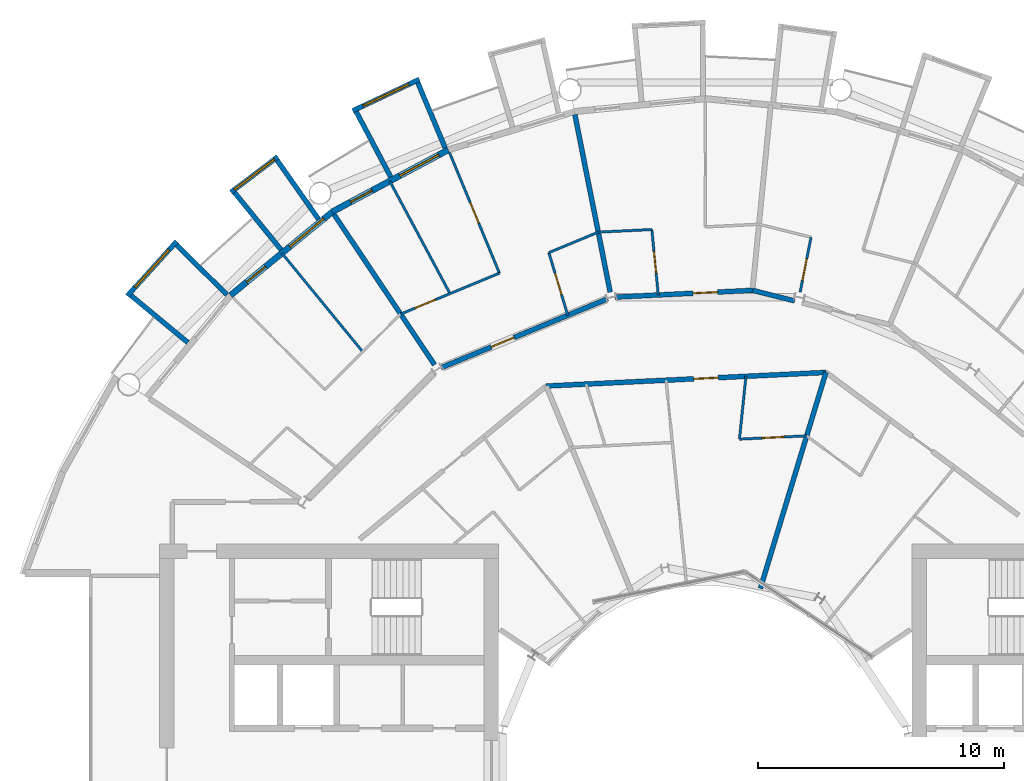
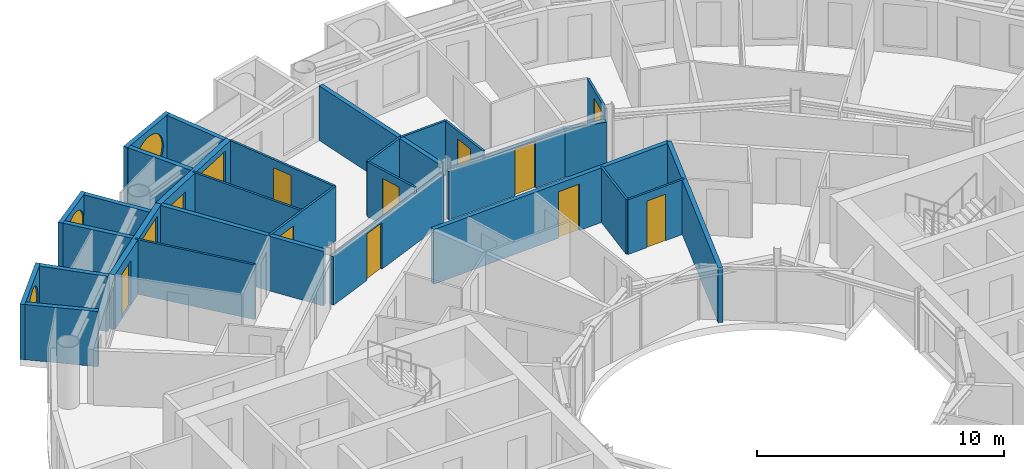
# One storey, part 20 of 27: 29 walls, 11 doors, 5 windows, 16 openings.
"""IFC4 building model written with IfcOpenShell, lengths in metres."""

from ifc_helpers import new_model, si_unit, direction, frame, frame_2d, origin, place, context, subcontext, project, spatial, rectangle, circle, extrude, material, layer, layer_set, type_object, element, fill, save


model = new_model("IFC4")

# Units and contexts
model_context = context("Model", 3, precision=1e-05, world=origin(), true_north=direction((0.0, 1.0)))
body_context = subcontext(model_context, "Body", "Model", "MODEL_VIEW")
ifc_project = project(units=[si_unit("LENGTHUNIT", "METRE"), si_unit("AREAUNIT", "SQUARE_METRE"), si_unit("VOLUMEUNIT", "CUBIC_METRE"), si_unit("PLANEANGLEUNIT", "RADIAN"), si_unit("MASSUNIT", "GRAM", prefix="KILO")], contexts=[model_context])

# Site, building, storey
site_placement = place(None, origin())
site = spatial("IfcSite", under=ifc_project, at=site_placement, CompositionType="ELEMENT")
building_placement = place(site_placement, origin())
building = spatial("IfcBuilding", under=site, at=building_placement, Name="Maasbend Ring Residences", CompositionType="ELEMENT")
storey_placement = place(building_placement, frame((0.0, 0.0, 111.64990234375)))
storey = spatial("IfcBuildingStorey", under=building, at=storey_placement, Name="L31", CompositionType="ELEMENT", Elevation=111.64990234375)

# Wall, opening, door
ifc_material_1 = material(Name="Concrete C30/37", Category="concrete")
ifc_layer_1 = layer(ifc_material_1, 0.199951171875)
ifc_layer_set_1 = layer_set([ifc_layer_1], Name="Concrete C30/37")
wall_type_1 = type_object("IfcWallType", Name="CORRIDOR WALL 200 CONCRETE", PredefinedType="PARTITIONING", material=ifc_layer_set_1)
wall_1_placement = place(storey_placement, frame((-6.467041015625, 15.614013671875, 0.0), z_axis=(0.0, 0.0, 1.0), x_axis=(0.998821060576, 0.048543680847, 0.0)))
wall_1 = element("IfcWall", 1, at=wall_1_placement, inside=storey, type_object=wall_type_1, Name="U-L31-w096", PredefinedType="PARTITIONING", context=body_context, shape_type="SweptSolid", body=[
    extrude(rectangle(XDim=11.391357421875, YDim=0.199951171875, at=frame_2d((5.69580078125, 0.0))), origin(), (0.0, 0.0, 1.0), 2.7001953125),
])
opening_1_placement = place(wall_1_placement, frame((6.007080078125, 0.0, 0.0)))
opening_1 = element("IfcOpeningElement", 2, at=opening_1_placement, cuts=wall_1, Name="Opening D-3125", PredefinedType="OPENING", context=body_context, shape_type="SweptSolid", body=[
    extrude(rectangle(XDim=1.0, YDim=2.300048828125, at=frame_2d((0.5, 1.14990234375))), frame((0.0, 0.10986328125, 0.0), z_axis=(0.0, -1.0, 0.0), x_axis=(1.0, 0.0, 0.0)), (0.0, 0.0, 1.0), 0.219970703125),
])
ifc_material_2 = material(Name="Timber, fire-rated, painted", Category="wood")
door_type_1 = type_object("IfcDoorType", Name="FLAT ENTRANCE DOOR 1000 X 2300 FIRE-RATED", OperationType="NOTDEFINED", PredefinedType="DOOR", material=ifc_material_2)
door_1_placement = place(opening_1_placement, origin())
door_1 = element("IfcDoor", 3, at=door_1_placement, inside=storey, type_object=door_type_1, Name="D-3125", OperationType="SINGLE_SWING_RIGHT", OverallHeight=2.300048828125, OverallWidth=1.0, PredefinedType="DOOR", context=body_context, shape_type="SweptSolid", body=[
    extrude(rectangle(XDim=1.0, YDim=2.300048828125, at=frame_2d((0.5, 1.14990234375))), frame((0.0, 0.02490234375, 0.0), z_axis=(0.0, -1.0, 0.0), x_axis=(1.0, 0.0, 0.0)), (0.0, 0.0, 1.0), 0.050048828125),
])
fill(opening_1, door_1)

wall_2_placement = place(storey_placement, frame((-10.7451171875, 16.35693359375, 0.0), z_axis=(0.0, 0.0, 1.0), x_axis=(0.923928411035, 0.382565407848, 0.0)))
wall_2 = element("IfcWall", 4, at=wall_2_placement, inside=storey, type_object=wall_type_1, Name="U-L31-w101", PredefinedType="PARTITIONING", context=body_context, shape_type="SweptSolid", body=[
    extrude(rectangle(XDim=7.335205078125, YDim=0.199951171875, at=frame_2d((3.66748046875, 0.0))), origin(), (0.0, 0.0, 1.0), 2.39013671875),
])
opening_2_placement = place(wall_2_placement, frame((2.2119140625, 0.0, 0.0)))
opening_2 = element("IfcOpeningElement", 5, at=opening_2_placement, cuts=wall_2, Name="Opening D-3113", PredefinedType="OPENING", context=body_context, shape_type="SweptSolid", body=[
    extrude(rectangle(XDim=1.0, YDim=2.300048828125, at=frame_2d((0.5, 1.14990234375))), frame((0.0, 0.10986328125, 0.0), z_axis=(0.0, -1.0, 0.0), x_axis=(1.0, 0.0, 0.0)), (0.0, 0.0, 1.0), 0.219970703125),
])
door_2_placement = place(opening_2_placement, origin())
door_2 = element("IfcDoor", 6, at=door_2_placement, inside=storey, type_object=door_type_1, Name="D-3113", OperationType="SINGLE_SWING_LEFT", OverallHeight=2.300048828125, OverallWidth=1.0, PredefinedType="DOOR", context=body_context, shape_type="SweptSolid", body=[
    extrude(rectangle(XDim=1.0, YDim=2.300048828125, at=frame_2d((0.5, 1.14990234375))), frame((0.0, 0.02490234375, 0.0), z_axis=(0.0, -1.0, 0.0), x_axis=(1.0, 0.0, 0.0)), (0.0, 0.0, 1.0), 0.050048828125),
])
fill(opening_2, door_2)

wall_3_placement = place(storey_placement, frame((-3.6689453125, 19.23095703125, 0.0), z_axis=(0.0, 0.0, 1.0), x_axis=(0.998803644396, 0.048900715146, 0.0)))
wall_3 = element("IfcWall", 7, at=wall_3_placement, inside=storey, type_object=wall_type_1, Name="U-L31-w102", PredefinedType="PARTITIONING", context=body_context, shape_type="SweptSolid", body=[
    extrude(rectangle(XDim=5.6015625, YDim=0.199951171875, at=frame_2d((2.80078125, 0.0))), origin(), (0.0, 0.0, 1.0), 2.39013671875),
])
opening_3_placement = place(wall_3_placement, frame((3.178955078125, 0.0, 0.0)))
opening_3 = element("IfcOpeningElement", 8, at=opening_3_placement, cuts=wall_3, Name="Opening D-3110", PredefinedType="OPENING", context=body_context, shape_type="SweptSolid", body=[
    extrude(rectangle(XDim=1.0, YDim=2.300048828125, at=frame_2d((0.5, 1.14990234375))), frame((0.0, 0.10986328125, 0.0), z_axis=(0.0, -1.0, 0.0), x_axis=(1.0, 0.0, 0.0)), (0.0, 0.0, 1.0), 0.219970703125),
])
door_3_placement = place(opening_3_placement, origin())
door_3 = element("IfcDoor", 9, at=door_3_placement, inside=storey, type_object=door_type_1, Name="D-3110", OperationType="SINGLE_SWING_RIGHT", OverallHeight=2.300048828125, OverallWidth=1.0, PredefinedType="DOOR", context=body_context, shape_type="SweptSolid", body=[
    extrude(rectangle(XDim=1.0, YDim=2.300048828125, at=frame_2d((0.5, 1.14990234375))), frame((0.0, 0.02490234375, 0.0), z_axis=(0.0, -1.0, 0.0), x_axis=(1.0, 0.0, 0.0)), (0.0, 0.0, 1.0), 0.050048828125),
])
fill(opening_3, door_3)

# Wall
wall_4_placement = place(storey_placement, frame((1.9208984375, 19.506103515625, 0.0), z_axis=(0.0, 0.0, 1.0), x_axis=(0.97002068022, -0.243022385689, 0.0)))
element("IfcWall", 10, at=wall_4_placement, inside=storey, type_object=wall_type_1, Name="U-L31-w103", PredefinedType="PARTITIONING", context=body_context, shape_type="SweptSolid", body=[
    extrude(rectangle(XDim=1.77001953125, YDim=0.199951171875, at=frame_2d((0.885009765625, 0.0))), origin(), (0.0, 0.0, 1.0), 2.39013671875),
])

# Wall, opening, window
ifc_material_3 = material(Name="Pale anodised aluminium panel", Category="aluminium")
ifc_layer_2 = layer(ifc_material_3, 0.199951171875)
ifc_layer_set_2 = layer_set([ifc_layer_2], Name="EW-BOX")
wall_type_2 = type_object("IfcWallType", Name="EW-BOX", PredefinedType="SOLIDWALL", material=ifc_layer_set_2)
wall_5_placement = place(storey_placement, frame((-11.62890625, 28.087890625, -0.02978515625), z_axis=(0.0, 0.0, 1.0), x_axis=(-0.904000060331, -0.427532327342, 0.0)))
wall_5 = element("IfcWall", 11, at=wall_5_placement, inside=storey, type_object=wall_type_2, Name="Box front N15", PredefinedType="SOLIDWALL", context=body_context, shape_type="SweptSolid", body=[
    extrude(rectangle(XDim=2.993408203125, YDim=0.199951171875, at=frame_2d((1.49658203125, 0.0))), origin(), (0.0, 0.0, 1.0), 2.72998046875),
])
opening_4_placement = place(wall_5_placement, frame((0.45654296875, 0.0, 0.330078125)))
opening_4 = element("IfcOpeningElement", 12, at=opening_4_placement, cuts=wall_5, Name="Opening W-RD", PredefinedType="OPENING", context=body_context, shape_type="SweptSolid", body=[
    extrude(circle(Radius=1.0400390625, at=frame_2d((1.0400390625, 1.0400390625))), frame((0.0, 0.10986328125, 0.0), z_axis=(0.0, -1.0, 0.0), x_axis=(1.0, 0.0, 0.0)), (0.0, 0.0, 1.0), 0.219970703125),
])
ifc_material_4 = material(Name="Aluminium and clear glass", Category="aluminium")
window_type_1 = type_object("IfcWindowType", Name="W-RD", PartitioningType="SINGLE_PANEL", PredefinedType="WINDOW", material=ifc_material_4)
window_1_placement = place(opening_4_placement, origin())
window_1 = element("IfcWindow", 13, at=window_1_placement, inside=storey, type_object=window_type_1, Name="Round window N15", OverallHeight=2.080078125, OverallWidth=2.080078125, PartitioningType="SINGLE_PANEL", PredefinedType="WINDOW", context=body_context, shape_type="SweptSolid", body=[
    extrude(circle(Radius=1.0400390625, at=frame_2d((1.0400390625, 1.0400390625))), frame((0.0, 0.030029296875, 0.0), z_axis=(0.0, -1.0, 0.0), x_axis=(1.0, 0.0, 0.0)), (0.0, 0.0, 1.0), 0.06005859375),
])
fill(opening_4, window_1)

# Walls
wall_6_placement = place(storey_placement, frame((-10.574951171875, 25.294921875, -0.02978515625), z_axis=(0.0, 0.0, 1.0), x_axis=(-0.385697364644, 0.922625353492, 0.0)))
element("IfcWall", 14, at=wall_6_placement, inside=storey, type_object=wall_type_2, Name="Box side wall N15 left", PredefinedType="SOLIDWALL", context=body_context, shape_type="SweptSolid", body=[
    extrude(rectangle(XDim=2.88330078125, YDim=0.199951171875, at=frame_2d((1.441650390625, 0.0))), origin(), (0.0, 0.0, 1.0), 2.72998046875),
])
wall_7_placement = place(storey_placement, frame((-12.787109375, 24.113037109375, -0.02978515625), z_axis=(0.0, 0.0, 1.0), x_axis=(-0.468365282436, 0.883534924159, 0.0)))
element("IfcWall", 15, at=wall_7_placement, inside=storey, type_object=wall_type_2, Name="Box side wall N15 right", PredefinedType="SOLIDWALL", context=body_context, shape_type="SweptSolid", body=[
    extrude(rectangle(XDim=3.006103515625, YDim=0.199951171875, at=frame_2d((1.5029296875, 0.0))), origin(), (0.0, 0.0, 1.0), 2.72998046875),
])

# Wall, opening, window
wall_8_placement = place(storey_placement, frame((-17.382080078125, 24.93994140625, -0.02978515625), z_axis=(0.0, 0.0, 1.0), x_axis=(-0.797456837111, -0.603375996329, 0.0)))
wall_8 = element("IfcWall", 16, at=wall_8_placement, inside=storey, type_object=wall_type_2, Name="Box front N17", PredefinedType="SOLIDWALL", context=body_context, shape_type="SweptSolid", body=[
    extrude(rectangle(XDim=2.391357421875, YDim=0.199951171875, at=frame_2d((1.19580078125, 0.0))), origin(), (0.0, 0.0, 1.0), 2.72998046875),
])
opening_5_placement = place(wall_8_placement, frame((0.15576171875, 0.0, 0.330078125)))
opening_5 = element("IfcOpeningElement", 17, at=opening_5_placement, cuts=wall_8, Name="Opening W-RD", PredefinedType="OPENING", context=body_context, shape_type="SweptSolid", body=[
    extrude(circle(Radius=1.0400390625, at=frame_2d((1.0400390625, 1.0400390625))), frame((0.0, 0.10986328125, 0.0), z_axis=(0.0, -1.0, 0.0), x_axis=(1.0, 0.0, 0.0)), (0.0, 0.0, 1.0), 0.219970703125),
])
window_2_placement = place(opening_5_placement, origin())
window_2 = element("IfcWindow", 18, at=window_2_placement, inside=storey, type_object=window_type_1, Name="Round window N17", OverallHeight=2.080078125, OverallWidth=2.080078125, PartitioningType="SINGLE_PANEL", PredefinedType="WINDOW", context=body_context, shape_type="SweptSolid", body=[
    extrude(circle(Radius=1.0400390625, at=frame_2d((1.0400390625, 1.0400390625))), frame((0.0, 0.030029296875, 0.0), z_axis=(0.0, -1.0, 0.0), x_axis=(1.0, 0.0, 0.0)), (0.0, 0.0, 1.0), 0.06005859375),
])
fill(opening_5, window_2)

# Walls
wall_9_placement = place(storey_placement, frame((-15.72607421875, 22.402099609375, -0.02978515625), z_axis=(0.0, 0.0, 1.0), x_axis=(-0.574826383135, 0.818275399393, 0.0)))
element("IfcWall", 19, at=wall_9_placement, inside=storey, type_object=wall_type_2, Name="Box side wall N17 left", PredefinedType="SOLIDWALL", context=body_context, shape_type="SweptSolid", body=[
    extrude(rectangle(XDim=2.92919921875, YDim=0.199951171875, at=frame_2d((1.464599609375, 0.0))), origin(), (0.0, 0.0, 1.0), 2.72998046875),
])
wall_10_placement = place(storey_placement, frame((-17.24609375, 21.155029296875, -0.02978515625), z_axis=(0.0, 0.0, 1.0), x_axis=(-0.631741648902, 0.775179004516, 0.0)))
element("IfcWall", 20, at=wall_10_placement, inside=storey, type_object=wall_type_2, Name="Box side wall N17 right", PredefinedType="SOLIDWALL", context=body_context, shape_type="SweptSolid", body=[
    extrude(rectangle(XDim=3.005859375, YDim=0.199951171875, at=frame_2d((1.5029296875, 0.0))), origin(), (0.0, 0.0, 1.0), 2.72998046875),
])

# Wall, opening, window
wall_11_placement = place(storey_placement, frame((-21.492919921875, 21.5, -0.02978515625), z_axis=(0.0, 0.0, 1.0), x_axis=(-0.671506829416, -0.740998365753, 0.0)))
wall_11 = element("IfcWall", 21, at=wall_11_placement, inside=storey, type_object=wall_type_2, Name="Box front N19", PredefinedType="SOLIDWALL", context=body_context, shape_type="SweptSolid", body=[
    extrude(rectangle(XDim=2.9931640625, YDim=0.199951171875, at=frame_2d((1.49658203125, 0.0))), origin(), (0.0, 0.0, 1.0), 2.72998046875),
])
opening_6_placement = place(wall_11_placement, frame((0.45654296875, 0.0, 0.330078125)))
opening_6 = element("IfcOpeningElement", 22, at=opening_6_placement, cuts=wall_11, Name="Opening W-RD", PredefinedType="OPENING", context=body_context, shape_type="SweptSolid", body=[
    extrude(circle(Radius=1.0400390625, at=frame_2d((1.0400390625, 1.0400390625))), frame((0.0, 0.10986328125, 0.0), z_axis=(0.0, -1.0, 0.0), x_axis=(1.0, 0.0, 0.0)), (0.0, 0.0, 1.0), 0.219970703125),
])
window_3_placement = place(opening_6_placement, origin())
window_3 = element("IfcWindow", 23, at=window_3_placement, inside=storey, type_object=window_type_1, Name="Round window N19", OverallHeight=2.080078125, OverallWidth=2.080078125, PartitioningType="SINGLE_PANEL", PredefinedType="WINDOW", context=body_context, shape_type="SweptSolid", body=[
    extrude(circle(Radius=1.0400390625, at=frame_2d((1.0400390625, 1.0400390625))), frame((0.0, 0.030029296875, 0.0), z_axis=(0.0, -1.0, 0.0), x_axis=(1.0, 0.0, 0.0)), (0.0, 0.0, 1.0), 0.06005859375),
])
fill(opening_6, window_3)

# Walls
wall_12_placement = place(storey_placement, frame((-19.449951171875, 19.322998046875, -0.02978515625), z_axis=(0.0, 0.0, 1.0), x_axis=(-0.709727076896, 0.704476739375, 0.0)))
element("IfcWall", 24, at=wall_12_placement, inside=storey, type_object=wall_type_2, Name="Box side wall N19 left", PredefinedType="SOLIDWALL", context=body_context, shape_type="SweptSolid", body=[
    extrude(rectangle(XDim=2.883056640625, YDim=0.199951171875, at=frame_2d((1.44140625, 0.0))), origin(), (0.0, 0.0, 1.0), 2.72998046875),
])
wall_13_placement = place(storey_placement, frame((-21.041015625, 17.384033203125, -0.02978515625), z_axis=(0.0, 0.0, 1.0), x_axis=(-0.770784861449, 0.63709551667, 0.0)))
element("IfcWall", 25, at=wall_13_placement, inside=storey, type_object=wall_type_2, Name="Box side wall N19 right", PredefinedType="SOLIDWALL", context=body_context, shape_type="SweptSolid", body=[
    extrude(rectangle(XDim=3.005859375, YDim=0.199951171875, at=frame_2d((1.5029296875, 0.0))), origin(), (0.0, 0.0, 1.0), 2.72998046875),
])

# Wall, openings, door, window
ifc_material_5 = material(Name="Aluminium clad insulated panel", Category="aluminium")
ifc_layer_3 = layer(ifc_material_5, 0.25)
ifc_layer_set_3 = layer_set([ifc_layer_3], Name="EW-GL")
wall_type_3 = type_object("IfcWallType", Name="EW-GL", PredefinedType="SOLIDWALL", material=ifc_layer_set_3)
wall_14_placement = place(storey_placement, frame((-10.447021484375, 25.221923828125, 0.0), z_axis=(0.0, 0.0, 1.0), x_axis=(-0.881915646801, -0.471407246368, 0.0)))
wall_14 = element("IfcWall", 26, at=wall_14_placement, inside=storey, type_object=wall_type_3, Name="External wall N08", PredefinedType="SOLIDWALL", context=body_context, shape_type="SweptSolid", body=[
    extrude(rectangle(XDim=5.35205078125, YDim=0.25, at=frame_2d((2.676025390625, 0.0))), origin(), (0.0, 0.0, 1.0), 2.7001953125),
])
opening_7_placement = place(wall_14_placement, frame((0.441162109375, 0.0, 0.300048828125)))
opening_7 = element("IfcOpeningElement", 27, at=opening_7_placement, cuts=wall_14, Name="Opening W-BX", PredefinedType="OPENING", context=body_context, shape_type="SweptSolid", body=[
    extrude(rectangle(XDim=1.800048828125, YDim=2.10009765625, at=frame_2d((0.89990234375, 1.050048828125))), frame((0.0, 0.135009765625, 0.0), z_axis=(0.0, -1.0, 0.0), x_axis=(1.0, 0.0, 0.0)), (0.0, 0.0, 1.0), 0.27001953125),
])
opening_8_placement = place(wall_14_placement, frame((3.510498046875, 0.0, 0.0)))
opening_8 = element("IfcOpeningElement", 28, at=opening_8_placement, cuts=wall_14, Name="Opening D-LG", PredefinedType="OPENING", context=body_context, shape_type="SweptSolid", body=[
    extrude(rectangle(XDim=1.0, YDim=2.199951171875, at=frame_2d((0.5, 1.10009765625))), frame((0.0, 0.135009765625, 0.0), z_axis=(0.0, -1.0, 0.0), x_axis=(1.0, 0.0, 0.0)), (0.0, 0.0, 1.0), 0.27001953125),
])
ifc_material_6 = material(Name="Aluminium and clear glass", Category="aluminium")
door_type_2 = type_object("IfcDoorType", Name="D-LG", OperationType="SINGLE_SWING_LEFT", PredefinedType="DOOR", material=ifc_material_6)
door_4_placement = place(opening_8_placement, origin())
door_4 = element("IfcDoor", 29, at=door_4_placement, inside=storey, type_object=door_type_2, Name="Loggia door N16", OperationType="SINGLE_SWING_LEFT", OverallHeight=2.199951171875, OverallWidth=1.0, PredefinedType="DOOR", context=body_context, shape_type="SweptSolid", body=[
    extrude(rectangle(XDim=1.0, YDim=2.199951171875, at=frame_2d((0.5, 1.10009765625))), frame((0.0, 0.02490234375, 0.0), z_axis=(0.0, -1.0, 0.0), x_axis=(1.0, 0.0, 0.0)), (0.0, 0.0, 1.0), 0.050048828125),
])
fill(opening_8, door_4)
ifc_material_7 = material(Name="Aluminium and clear glass", Category="aluminium")
window_type_2 = type_object("IfcWindowType", Name="W-BX", PartitioningType="DOUBLE_PANEL_VERTICAL", PredefinedType="WINDOW", material=ifc_material_7)
window_4_placement = place(opening_7_placement, origin())
window_4 = element("IfcWindow", 30, at=window_4_placement, inside=storey, type_object=window_type_2, Name="Window N15 room to box", OverallHeight=2.10009765625, OverallWidth=1.800048828125, PartitioningType="SINGLE_PANEL", PredefinedType="WINDOW", context=body_context, shape_type="SweptSolid", body=[
    extrude(rectangle(XDim=1.800048828125, YDim=2.10009765625, at=frame_2d((0.89990234375, 1.050048828125))), frame((0.0, 0.030029296875, 0.0), z_axis=(0.0, -1.0, 0.0), x_axis=(1.0, 0.0, 0.0)), (0.0, 0.0, 1.0), 0.06005859375),
])
fill(opening_7, window_4)

wall_15_placement = place(storey_placement, frame((-15.1669921875, 22.698974609375, 0.0), z_axis=(0.0, 0.0, 1.0), x_axis=(-0.773019449054, -0.634382322723, 0.0)))
wall_15 = element("IfcWall", 31, at=wall_15_placement, inside=storey, type_object=wall_type_3, Name="External wall N09", PredefinedType="SOLIDWALL", context=body_context, shape_type="SweptSolid", body=[
    extrude(rectangle(XDim=5.351806640625, YDim=0.25, at=frame_2d((2.67578125, 0.0))), origin(), (0.0, 0.0, 1.0), 2.7001953125),
])
opening_9_placement = place(wall_15_placement, frame((0.441162109375, 0.0, 0.300048828125)))
opening_9 = element("IfcOpeningElement", 32, at=opening_9_placement, cuts=wall_15, Name="Opening W-BX", PredefinedType="OPENING", context=body_context, shape_type="SweptSolid", body=[
    extrude(rectangle(XDim=1.800048828125, YDim=2.10009765625, at=frame_2d((0.89990234375, 1.050048828125))), frame((0.0, 0.135009765625, 0.0), z_axis=(0.0, -1.0, 0.0), x_axis=(1.0, 0.0, 0.0)), (0.0, 0.0, 1.0), 0.27001953125),
])
opening_10_placement = place(wall_15_placement, frame((3.510498046875, 0.0, 0.0)))
opening_10 = element("IfcOpeningElement", 33, at=opening_10_placement, cuts=wall_15, Name="Opening D-LG", PredefinedType="OPENING", context=body_context, shape_type="SweptSolid", body=[
    extrude(rectangle(XDim=1.0, YDim=2.199951171875, at=frame_2d((0.5, 1.10009765625))), frame((0.0, 0.135009765625, 0.0), z_axis=(0.0, -1.0, 0.0), x_axis=(1.0, 0.0, 0.0)), (0.0, 0.0, 1.0), 0.27001953125),
])
door_5_placement = place(opening_10_placement, origin())
door_5 = element("IfcDoor", 34, at=door_5_placement, inside=storey, type_object=door_type_2, Name="Loggia door N18", OperationType="SINGLE_SWING_LEFT", OverallHeight=2.199951171875, OverallWidth=1.0, PredefinedType="DOOR", context=body_context, shape_type="SweptSolid", body=[
    extrude(rectangle(XDim=1.0, YDim=2.199951171875, at=frame_2d((0.5, 1.10009765625))), frame((0.0, 0.02490234375, 0.0), z_axis=(0.0, -1.0, 0.0), x_axis=(1.0, 0.0, 0.0)), (0.0, 0.0, 1.0), 0.050048828125),
])
fill(opening_10, door_5)
window_5_placement = place(opening_9_placement, origin())
window_5 = element("IfcWindow", 35, at=window_5_placement, inside=storey, type_object=window_type_2, Name="Window N17 room to box", OverallHeight=2.10009765625, OverallWidth=1.800048828125, PartitioningType="SINGLE_PANEL", PredefinedType="WINDOW", context=body_context, shape_type="SweptSolid", body=[
    extrude(rectangle(XDim=1.800048828125, YDim=2.10009765625, at=frame_2d((0.89990234375, 1.050048828125))), frame((0.0, 0.030029296875, 0.0), z_axis=(0.0, -1.0, 0.0), x_axis=(1.0, 0.0, 0.0)), (0.0, 0.0, 1.0), 0.06005859375),
])
fill(opening_9, window_5)

# Walls
ifc_material_8 = material(Name="Gypsum board on steel studs", Category="steel")
ifc_layer_4 = layer(ifc_material_8, 0.10009765625)
ifc_layer_set_4 = layer_set([ifc_layer_4], Name="PARTITION 100 GYPSUM")
wall_type_4 = type_object("IfcWallType", Name="PARTITION 100 GYPSUM", PredefinedType="PARTITIONING", material=ifc_layer_set_4)
wall_16_placement = place(storey_placement, frame((-17.219970703125, 21.02294921875, 0.0), z_axis=(0.0, 0.0, 1.0), x_axis=(0.633774976367, -0.773517471898, 0.0)))
element("IfcWall", 36, at=wall_16_placement, inside=storey, type_object=wall_type_4, Name="U-L31-w033", PredefinedType="PARTITIONING", context=body_context, shape_type="SweptSolid", body=[
    extrude(rectangle(XDim=5.19580078125, YDim=0.10009765625, at=frame_2d((2.597900390625, 0.0))), origin(), (0.0, 0.0, 1.0), 2.7001953125),
])
wall_17_placement = place(storey_placement, frame((-12.8330078125, 23.9541015625, 0.0), z_axis=(0.0, 0.0, 1.0), x_axis=(0.472148388886, -0.881519085938, 0.0)))
element("IfcWall", 37, at=wall_17_placement, inside=storey, type_object=wall_type_4, Name="U-L31-w038", PredefinedType="PARTITIONING", context=body_context, shape_type="SweptSolid", body=[
    extrude(rectangle(XDim=5.195556640625, YDim=0.10009765625, at=frame_2d((2.59765625, 0.0))), origin(), (0.0, 0.0, 1.0), 2.7001953125),
])

# Wall, opening, door
wall_18_placement = place(storey_placement, frame((-10.39892578125, 25.10595703125, 0.0), z_axis=(0.0, 0.0, 1.0), x_axis=(0.382620183578, -0.92390572848, 0.0)))
wall_18 = element("IfcWall", 38, at=wall_18_placement, inside=storey, type_object=wall_type_4, Name="U-L31-w043", PredefinedType="PARTITIONING", context=body_context, shape_type="SweptSolid", body=[
    extrude(rectangle(XDim=5.302490234375, YDim=0.10009765625, at=frame_2d((2.6513671875, 0.0))), origin(), (0.0, 0.0, 1.0), 2.7001953125),
])
opening_11_placement = place(wall_18_placement, frame((2.200927734375, 0.0, 0.0)))
opening_11 = element("IfcOpeningElement", 39, at=opening_11_placement, cuts=wall_18, Name="Opening D-3115", PredefinedType="OPENING", context=body_context, shape_type="SweptSolid", body=[
    extrude(rectangle(XDim=0.89990234375, YDim=2.300048828125, at=frame_2d((0.449951171875, 1.14990234375))), frame((0.0, 0.06005859375, 0.0), z_axis=(0.0, -1.0, 0.0), x_axis=(1.0, 0.0, 0.0)), (0.0, 0.0, 1.0), 0.1201171875),
])
ifc_material_9 = material(Name="Timber, painted", Category="wood")
door_type_3 = type_object("IfcDoorType", Name="INTERNAL DOOR 900 X 2300", OperationType="NOTDEFINED", PredefinedType="DOOR", material=ifc_material_9)
door_6_placement = place(opening_11_placement, origin())
door_6 = element("IfcDoor", 40, at=door_6_placement, inside=storey, type_object=door_type_3, Name="D-3115", OperationType="SINGLE_SWING_LEFT", OverallHeight=2.300048828125, OverallWidth=0.89990234375, PredefinedType="DOOR", context=body_context, shape_type="SweptSolid", body=[
    extrude(rectangle(XDim=0.89990234375, YDim=2.300048828125, at=frame_2d((0.449951171875, 1.14990234375))), frame((0.0, 0.02490234375, 0.0), z_axis=(0.0, -1.0, 0.0), x_axis=(1.0, 0.0, 0.0)), (0.0, 0.0, 1.0), 0.050048828125),
])
fill(opening_11, door_6)

wall_19_placement = place(storey_placement, frame((-6.360107421875, 21.0390625, 0.0), z_axis=(0.0, 0.0, 1.0), x_axis=(0.289375816213, -0.957215564537, 0.0)))
wall_19 = element("IfcWall", 41, at=wall_19_placement, inside=storey, type_object=wall_type_4, Name="U-L31-w051", PredefinedType="PARTITIONING", context=body_context, shape_type="SweptSolid", body=[
    extrude(rectangle(XDim=2.660888671875, YDim=0.10009765625, at=frame_2d((1.33056640625, 0.0))), origin(), (0.0, 0.0, 1.0), 2.7001953125),
])
opening_12_placement = place(wall_19_placement, frame((0.8798828125, 0.0, 0.0)))
opening_12 = element("IfcOpeningElement", 42, at=opening_12_placement, cuts=wall_19, Name="Opening D-3114", PredefinedType="OPENING", context=body_context, shape_type="SweptSolid", body=[
    extrude(rectangle(XDim=0.89990234375, YDim=2.300048828125, at=frame_2d((0.449951171875, 1.14990234375))), frame((0.0, 0.06005859375, 0.0), z_axis=(0.0, -1.0, 0.0), x_axis=(1.0, 0.0, 0.0)), (0.0, 0.0, 1.0), 0.1201171875),
])
door_7_placement = place(opening_12_placement, origin())
door_7 = element("IfcDoor", 43, at=door_7_placement, inside=storey, type_object=door_type_3, Name="D-3114", OperationType="SINGLE_SWING_LEFT", OverallHeight=2.300048828125, OverallWidth=0.89990234375, PredefinedType="DOOR", context=body_context, shape_type="SweptSolid", body=[
    extrude(rectangle(XDim=0.89990234375, YDim=2.300048828125, at=frame_2d((0.449951171875, 1.14990234375))), frame((0.0, 0.02490234375, 0.0), z_axis=(0.0, -1.0, 0.0), x_axis=(1.0, 0.0, 0.0)), (0.0, 0.0, 1.0), 0.050048828125),
])
fill(opening_12, door_7)

wall_20_placement = place(storey_placement, frame((-2.172119140625, 21.97900390625, 0.0), z_axis=(0.0, 0.0, 1.0), x_axis=(0.098383180323, -0.995148606907, 0.0)))
wall_20 = element("IfcWall", 44, at=wall_20_placement, inside=storey, type_object=wall_type_4, Name="U-L31-w055", PredefinedType="PARTITIONING", context=body_context, shape_type="SweptSolid", body=[
    extrude(rectangle(XDim=2.675048828125, YDim=0.10009765625, at=frame_2d((1.33740234375, 0.0))), origin(), (0.0, 0.0, 1.0), 2.7001953125),
])
opening_13_placement = place(wall_20_placement, frame((0.886962890625, 0.0, 0.0)))
opening_13 = element("IfcOpeningElement", 45, at=opening_13_placement, cuts=wall_20, Name="Opening D-3111", PredefinedType="OPENING", context=body_context, shape_type="SweptSolid", body=[
    extrude(rectangle(XDim=0.89990234375, YDim=2.300048828125, at=frame_2d((0.449951171875, 1.14990234375))), frame((0.0, 0.06005859375, 0.0), z_axis=(0.0, -1.0, 0.0), x_axis=(1.0, 0.0, 0.0)), (0.0, 0.0, 1.0), 0.1201171875),
])
door_8_placement = place(opening_13_placement, origin())
door_8 = element("IfcDoor", 46, at=door_8_placement, inside=storey, type_object=door_type_3, Name="D-3111", OperationType="SINGLE_SWING_RIGHT", OverallHeight=2.300048828125, OverallWidth=0.89990234375, PredefinedType="DOOR", context=body_context, shape_type="SweptSolid", body=[
    extrude(rectangle(XDim=0.89990234375, YDim=2.300048828125, at=frame_2d((0.449951171875, 1.14990234375))), frame((0.0, 0.02490234375, 0.0), z_axis=(0.0, -1.0, 0.0), x_axis=(1.0, 0.0, 0.0)), (0.0, 0.0, 1.0), 0.050048828125),
])
fill(opening_13, door_8)

# Wall
wall_21_placement = place(storey_placement, frame((1.39208984375, 13.4541015625, 0.0), z_axis=(0.0, 0.0, 1.0), x_axis=(0.102594773028, 0.994723234145, 0.0)))
element("IfcWall", 47, at=wall_21_placement, inside=storey, type_object=wall_type_4, Name="U-L31-w060", PredefinedType="PARTITIONING", context=body_context, shape_type="SweptSolid", body=[
    extrude(rectangle(XDim=2.572509765625, YDim=0.10009765625, at=frame_2d((1.2861328125, 0.0))), origin(), (0.0, 0.0, 1.0), 2.7001953125),
])

# Wall, opening, door
wall_22_placement = place(storey_placement, frame((3.860107421875, 19.43603515625, 0.0), z_axis=(0.0, 0.0, 1.0), x_axis=(0.194627049372, 0.98087731733, 0.0)))
wall_22 = element("IfcWall", 48, at=wall_22_placement, inside=storey, type_object=wall_type_4, Name="U-L31-w066", PredefinedType="PARTITIONING", context=body_context, shape_type="SweptSolid", body=[
    extrude(rectangle(XDim=2.2705078125, YDim=0.10009765625, at=frame_2d((1.13525390625, 0.0))), origin(), (0.0, 0.0, 1.0), 2.7001953125),
])
opening_14_placement = place(wall_22_placement, frame((0.48291015625, 0.0, 0.0)))
opening_14 = element("IfcOpeningElement", 49, at=opening_14_placement, cuts=wall_22, Name="Opening D-3108", PredefinedType="OPENING", context=body_context, shape_type="SweptSolid", body=[
    extrude(rectangle(XDim=0.89990234375, YDim=2.300048828125, at=frame_2d((0.449951171875, 1.14990234375))), frame((0.0, 0.06005859375, 0.0), z_axis=(0.0, -1.0, 0.0), x_axis=(1.0, 0.0, 0.0)), (0.0, 0.0, 1.0), 0.1201171875),
])
door_9_placement = place(opening_14_placement, origin())
door_9 = element("IfcDoor", 50, at=door_9_placement, inside=storey, type_object=door_type_3, Name="D-3108", OperationType="SINGLE_SWING_LEFT", OverallHeight=2.300048828125, OverallWidth=0.89990234375, PredefinedType="DOOR", context=body_context, shape_type="SweptSolid", body=[
    extrude(rectangle(XDim=0.89990234375, YDim=2.300048828125, at=frame_2d((0.449951171875, 1.14990234375))), frame((0.0, 0.02490234375, 0.0), z_axis=(0.0, -1.0, 0.0), x_axis=(1.0, 0.0, 0.0)), (0.0, 0.0, 1.0), 0.050048828125),
])
fill(opening_14, door_9)

wall_23_placement = place(storey_placement, frame((1.39208984375, 13.4541015625, 0.0), z_axis=(0.0, 0.0, 1.0), x_axis=(0.998779365748, 0.049394114582, 0.0)))
wall_23 = element("IfcWall", 51, at=wall_23_placement, inside=storey, type_object=wall_type_4, Name="U-L31-w091", PredefinedType="PARTITIONING", context=body_context, shape_type="SweptSolid", body=[
    extrude(rectangle(XDim=2.7333984375, YDim=0.10009765625, at=frame_2d((1.36669921875, 0.0))), origin(), (0.0, 0.0, 1.0), 2.7001953125),
])
opening_15_placement = place(wall_23_placement, frame((0.9169921875, 0.0, 0.0)))
opening_15 = element("IfcOpeningElement", 52, at=opening_15_placement, cuts=wall_23, Name="Opening D-3126", PredefinedType="OPENING", context=body_context, shape_type="SweptSolid", body=[
    extrude(rectangle(XDim=0.89990234375, YDim=2.300048828125, at=frame_2d((0.449951171875, 1.14990234375))), frame((0.0, 0.06005859375, 0.0), z_axis=(0.0, -1.0, 0.0), x_axis=(1.0, 0.0, 0.0)), (0.0, 0.0, 1.0), 0.1201171875),
])
door_10_placement = place(opening_15_placement, origin())
door_10 = element("IfcDoor", 53, at=door_10_placement, inside=storey, type_object=door_type_3, Name="D-3126", OperationType="SINGLE_SWING_RIGHT", OverallHeight=2.300048828125, OverallWidth=0.89990234375, PredefinedType="DOOR", context=body_context, shape_type="SweptSolid", body=[
    extrude(rectangle(XDim=0.89990234375, YDim=2.300048828125, at=frame_2d((0.449951171875, 1.14990234375))), frame((0.0, 0.02490234375, 0.0), z_axis=(0.0, -1.0, 0.0), x_axis=(1.0, 0.0, 0.0)), (0.0, 0.0, 1.0), 0.050048828125),
])
fill(opening_15, door_10)

wall_24_placement = place(storey_placement, frame((-12.39697265625, 18.535888671875, 0.0), z_axis=(0.0, 0.0, 1.0), x_axis=(0.923761942059, 0.382967197554, 0.0)))
wall_24 = element("IfcWall", 54, at=wall_24_placement, inside=storey, type_object=wall_type_4, Name="U-L31-w111", PredefinedType="PARTITIONING", context=body_context, shape_type="SweptSolid", body=[
    extrude(rectangle(XDim=4.35595703125, YDim=0.10009765625, at=frame_2d((2.177978515625, 0.0))), origin(), (0.0, 0.0, 1.0), 2.7001953125),
])
opening_16_placement = place(wall_24_placement, frame((0.64599609375, 0.0, 0.0)))
opening_16 = element("IfcOpeningElement", 55, at=opening_16_placement, cuts=wall_24, Name="Opening D-3116", PredefinedType="OPENING", context=body_context, shape_type="SweptSolid", body=[
    extrude(rectangle(XDim=0.89990234375, YDim=2.300048828125, at=frame_2d((0.449951171875, 1.14990234375))), frame((0.0, 0.06005859375, 0.0), z_axis=(0.0, -1.0, 0.0), x_axis=(1.0, 0.0, 0.0)), (0.0, 0.0, 1.0), 0.1201171875),
])
door_11_placement = place(opening_16_placement, origin())
door_11 = element("IfcDoor", 56, at=door_11_placement, inside=storey, type_object=door_type_3, Name="D-3116", OperationType="SINGLE_SWING_LEFT", OverallHeight=2.300048828125, OverallWidth=0.89990234375, PredefinedType="DOOR", context=body_context, shape_type="SweptSolid", body=[
    extrude(rectangle(XDim=0.89990234375, YDim=2.300048828125, at=frame_2d((0.449951171875, 1.14990234375))), frame((0.0, 0.02490234375, 0.0), z_axis=(0.0, -1.0, 0.0), x_axis=(1.0, 0.0, 0.0)), (0.0, 0.0, 1.0), 0.050048828125),
])
fill(opening_16, door_11)

# Walls
wall_25_placement = place(storey_placement, frame((-6.360107421875, 21.0390625, 0.0), z_axis=(0.0, 0.0, 1.0), x_axis=(0.923743082263, 0.383012686436, 0.0)))
element("IfcWall", 57, at=wall_25_placement, inside=storey, type_object=wall_type_4, Name="U-L31-w112", PredefinedType="PARTITIONING", context=body_context, shape_type="SweptSolid", body=[
    extrude(rectangle(XDim=2.1748046875, YDim=0.10009765625, at=frame_2d((1.08740234375, 0.0))), origin(), (0.0, 0.0, 1.0), 2.7001953125),
])
wall_26_placement = place(storey_placement, frame((-4.35107421875, 21.8720703125, 0.0), z_axis=(0.0, 0.0, 1.0), x_axis=(0.998797962079, 0.049016639484, 0.0)))
element("IfcWall", 58, at=wall_26_placement, inside=storey, type_object=wall_type_4, Name="U-L31-w113", PredefinedType="PARTITIONING", context=body_context, shape_type="SweptSolid", body=[
    extrude(rectangle(XDim=2.181640625, YDim=0.10009765625, at=frame_2d((1.0908203125, 0.0))), origin(), (0.0, 0.0, 1.0), 2.7001953125),
])
ifc_material_10 = material(Name="Concrete C30/37", Category="concrete")
ifc_layer_5 = layer(ifc_material_10, 0.199951171875)
ifc_layer_set_5 = layer_set([ifc_layer_5], Name="Concrete C30/37")
wall_type_5 = type_object("IfcWallType", Name="PARTY WALL 200 CONCRETE", PredefinedType="PARTITIONING", material=ifc_layer_set_5)
wall_27_placement = place(storey_placement, frame((-15.096923828125, 22.594970703125, 0.0), z_axis=(0.0, 0.0, 1.0), x_axis=(0.555572791, -0.831467903109, 0.0)))
element("IfcWall", 59, at=wall_27_placement, inside=storey, type_object=wall_type_5, Name="U-L31-w036", PredefinedType="PARTITIONING", context=body_context, shape_type="SweptSolid", body=[
    extrude(rectangle(XDim=7.35791015625, YDim=0.199951171875, at=frame_2d((3.678955078125, 0.0))), origin(), (0.0, 0.0, 1.0), 2.7001953125),
])
wall_28_placement = place(storey_placement, frame((-5.302001953125, 26.653076171875, 0.0), z_axis=(0.0, 0.0, 1.0), x_axis=(0.195127206499, -0.980777942902, 0.0)))
element("IfcWall", 60, at=wall_28_placement, inside=storey, type_object=wall_type_5, Name="U-L31-w052", PredefinedType="PARTITIONING", context=body_context, shape_type="SweptSolid", body=[
    extrude(rectangle(XDim=7.359375, YDim=0.199951171875, at=frame_2d((3.6796875, 0.0))), origin(), (0.0, 0.0, 1.0), 2.7001953125),
])
wall_29_placement = place(storey_placement, frame((2.242919921875, 7.386962890625, 0.0), z_axis=(0.0, 0.0, 1.0), x_axis=(0.290622919271, 0.956837665853, 0.0)))
element("IfcWall", 61, at=wall_29_placement, inside=storey, type_object=wall_type_5, Name="U-L31-w064", PredefinedType="PARTITIONING", context=body_context, shape_type="SweptSolid", body=[
    extrude(rectangle(XDim=9.18017578125, YDim=0.199951171875, at=frame_2d((4.590087890625, 0.0))), origin(), (0.0, 0.0, 1.0), 2.7001953125),
])

save(model, "model.ifc")
